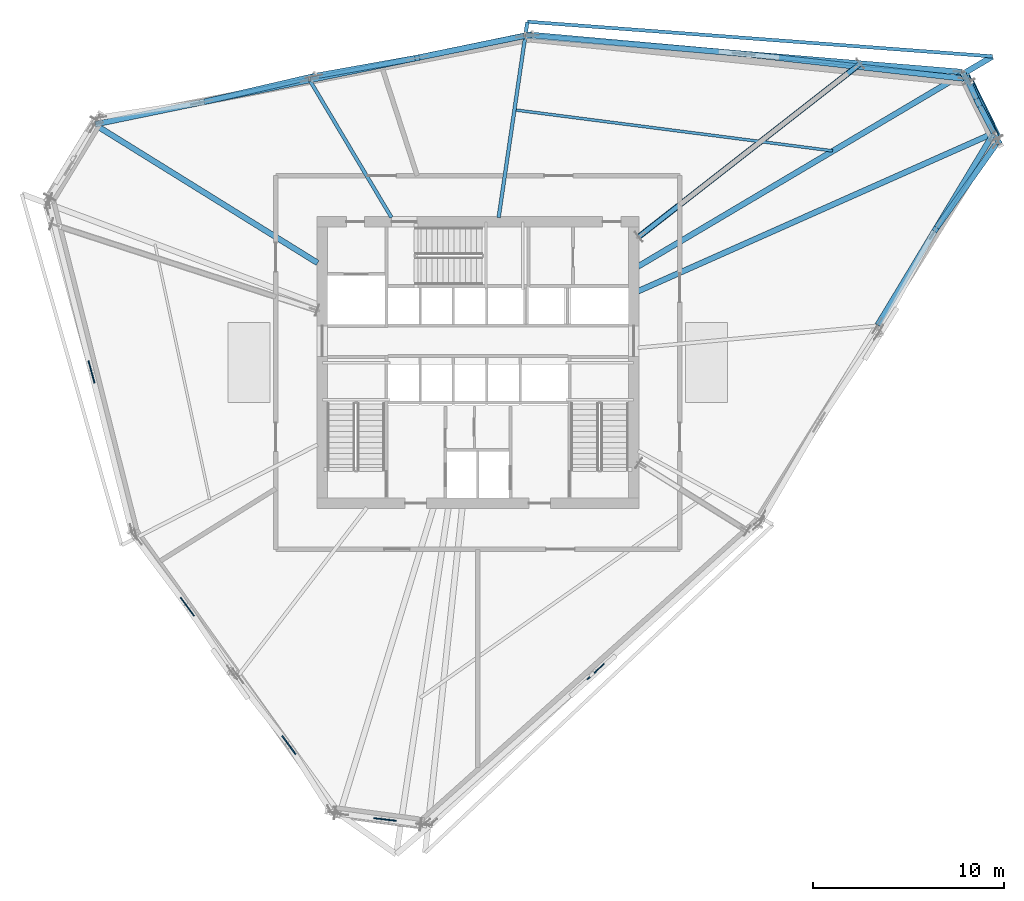
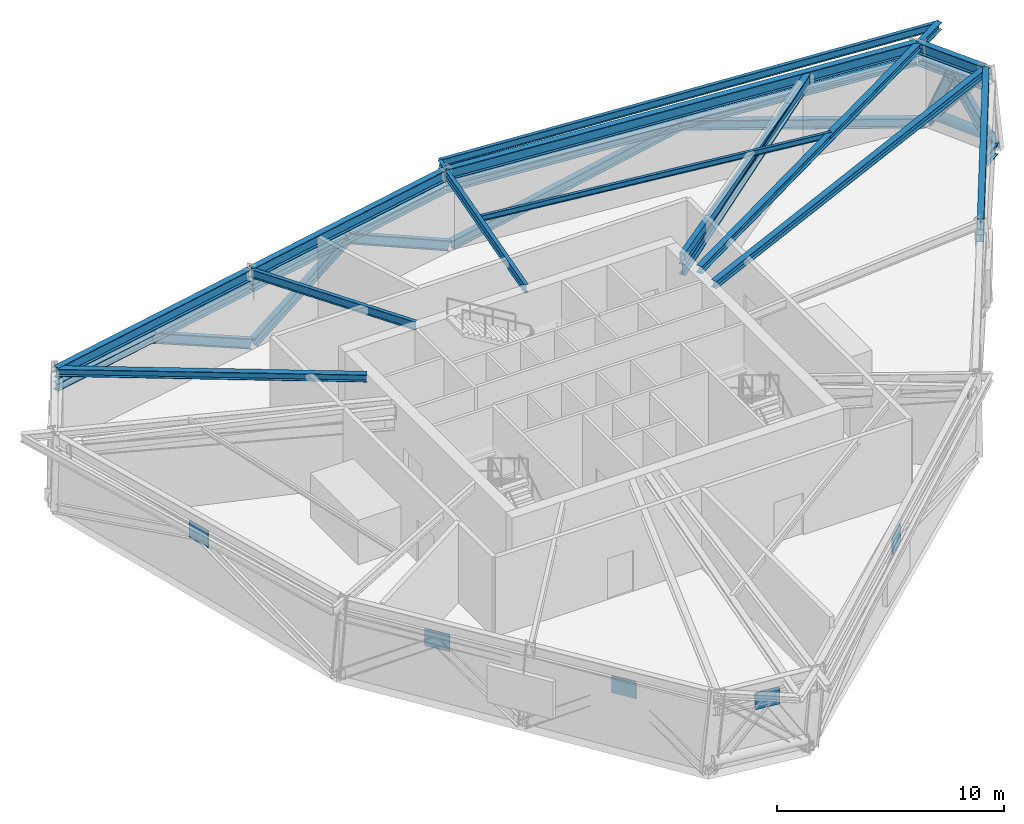
# One storey, part 3 of 14: 17 members, 12 beams, 5 plates.
"""IFC4 building model written with IfcOpenShell, lengths in metres."""

from ifc_helpers import new_model, si_unit, direction, frame, origin, origin_2d, place, context, subcontext, project, spatial, rectangle, hollow_rectangle, hollow_circle, i_section, extrude, source, transform, mapped, material, material_profile, profile_set, type_object, element, save


model = new_model("IFC4")

# Units and contexts
model_context = context("Model", 3, precision=1e-05, world=origin(), true_north=direction((0.0, 1.0)))
body_context = subcontext(model_context, "Body", "Model", "MODEL_VIEW")
ifc_project = project(units=[si_unit("LENGTHUNIT", "METRE"), si_unit("AREAUNIT", "SQUARE_METRE"), si_unit("VOLUMEUNIT", "CUBIC_METRE"), si_unit("PLANEANGLEUNIT", "RADIAN"), si_unit("MASSUNIT", "GRAM", prefix="KILO")], contexts=[model_context])

# Site, building, storey
site_placement = place(None, origin())
site = spatial("IfcSite", under=ifc_project, at=site_placement, CompositionType="ELEMENT")
building_placement = place(site_placement, origin())
building = spatial("IfcBuilding", under=site, at=building_placement, Name="Olszyna Solenne Hotel", CompositionType="ELEMENT")
storey_placement = place(building_placement, frame((0.0, 0.0, 142.10009765625)))
storey = spatial("IfcBuildingStorey", under=building, at=storey_placement, Name="L37", CompositionType="ELEMENT", Elevation=142.10009765625)

# Beams
ifc_material_1 = material(Name="Steel S355J2", Category="steel")
ifc_material_profile_1 = material_profile(ifc_material_1, i_section(OverallWidth=0.300048828125, OverallDepth=0.60009765625, WebThickness=0.015380859375, FlangeThickness=0.030029296875, at=origin_2d()), Name="HEB 600", Category="load-bearing")
ifc_profile_set_1 = profile_set([ifc_material_profile_1], Name="Steel S355J2")
beam_type_1 = type_object("IfcBeamType", Name="BM-S2", PredefinedType="BEAM", material=ifc_profile_set_1)
shared_shape_1 = source(origin(), body_context, "Body", "SweptSolid", [
    extrude(i_section(OverallWidth=0.300048828125, OverallDepth=0.60009765625, WebThickness=0.015380859375, FlangeThickness=0.030029296875, at=origin_2d()), origin(), (0.0, 0.0, 1.0), 3.4775390625),
])
beam_1_placement = place(storey_placement, frame((65.0361328125, 38.68994140625, 3.949951171875), z_axis=(-0.456345154087, 0.889802843523, 0.0), x_axis=(-0.889802843523, -0.456345154087, 0.0)))
element("IfcBeam", 1, at=beam_1_placement, inside=storey, type_object=beam_type_1, Name="Perimeter spandrel beam BM-S2 B-L37-1093", PredefinedType="BEAM", context=body_context, shape_type="MappedRepresentation", body=[
    mapped(shared_shape_1, transform((0.0, 0.0, 0.0), x_axis=(1.0, 0.0, 0.0), y_axis=(0.0, 1.0, 0.0), z_axis=(0.0, 0.0, 1.0), scale=1.0)),
])
shared_shape_2 = source(origin(), body_context, "Body", "SweptSolid", [
    extrude(i_section(OverallWidth=0.300048828125, OverallDepth=0.60009765625, WebThickness=0.015380859375, FlangeThickness=0.030029296875, at=origin_2d()), origin(), (0.0, 0.0, 1.0), 22.924072265625),
])
beam_2_placement = place(storey_placement, frame((63.362060546875, 41.842529296875, 3.949951171875), z_axis=(-0.996570319592, 0.082750215156, 0.0), x_axis=(-0.082750215156, -0.996570319592, 0.0)))
element("IfcBeam", 2, at=beam_2_placement, inside=storey, type_object=beam_type_1, Name="Perimeter spandrel beam BM-S2 B-L37-1094", PredefinedType="BEAM", context=body_context, shape_type="MappedRepresentation", body=[
    mapped(shared_shape_2, transform((0.0, 0.0, 0.0), x_axis=(1.0, 0.0, 0.0), y_axis=(0.0, 1.0, 0.0), z_axis=(0.0, 0.0, 1.0), scale=1.0)),
])
shared_shape_3 = source(origin(), body_context, "Body", "SweptSolid", [
    extrude(i_section(OverallWidth=0.300048828125, OverallDepth=0.60009765625, WebThickness=0.015380859375, FlangeThickness=0.030029296875, at=origin_2d()), origin(), (0.0, 0.0, 1.0), 11.402099609375),
])
beam_3_placement = place(storey_placement, frame((40.398193359375, 43.732421875, 3.949951171875), z_axis=(-0.979385335608, -0.20200090197, 0.0), x_axis=(0.20200090197, -0.979385335608, 0.0)))
element("IfcBeam", 3, at=beam_3_placement, inside=storey, type_object=beam_type_1, Name="Perimeter spandrel beam BM-S2 B-L37-1095", PredefinedType="BEAM", context=body_context, shape_type="MappedRepresentation", body=[
    mapped(shared_shape_3, transform((0.0, 0.0, 0.0), x_axis=(1.0, 0.0, 0.0), y_axis=(0.0, 1.0, 0.0), z_axis=(0.0, 0.0, 1.0), scale=1.0)),
])
shared_shape_4 = source(origin(), body_context, "Body", "SweptSolid", [
    extrude(i_section(OverallWidth=0.300048828125, OverallDepth=0.60009765625, WebThickness=0.015380859375, FlangeThickness=0.030029296875, at=origin_2d()), origin(), (0.0, 0.0, 1.0), 11.40185546875),
])
beam_4_placement = place(storey_placement, frame((29.113525390625, 41.40478515625, 3.949951171875), z_axis=(-0.979384461877, -0.202005138139, 0.0), x_axis=(0.202005138139, -0.979384461877, 0.0)))
element("IfcBeam", 4, at=beam_4_placement, inside=storey, type_object=beam_type_1, Name="Perimeter spandrel beam BM-S2 B-L37-1096", PredefinedType="BEAM", context=body_context, shape_type="MappedRepresentation", body=[
    mapped(shared_shape_4, transform((0.0, 0.0, 0.0), x_axis=(1.0, 0.0, 0.0), y_axis=(0.0, 1.0, 0.0), z_axis=(0.0, 0.0, 1.0), scale=1.0)),
])
shared_shape_5 = source(origin(), body_context, "Body", "SweptSolid", [
    extrude(i_section(OverallWidth=0.300048828125, OverallDepth=0.60009765625, WebThickness=0.015380859375, FlangeThickness=0.030029296875, at=origin_2d()), origin(), (0.0, 0.0, 1.0), 11.695068359375),
])
beam_5_placement = place(storey_placement, frame((58.982177734375, 28.576904296875, 3.949951171875), z_axis=(0.517341836232, 0.855778840872, 0.0), x_axis=(-0.855778840872, 0.517341836232, 0.0)))
element("IfcBeam", 5, at=beam_5_placement, inside=storey, type_object=beam_type_1, Name="Perimeter spandrel beam BM-S2 B-L37-1104", PredefinedType="BEAM", context=body_context, shape_type="MappedRepresentation", body=[
    mapped(shared_shape_5, transform((0.0, 0.0, 0.0), x_axis=(1.0, 0.0, 0.0), y_axis=(0.0, 1.0, 0.0), z_axis=(0.0, 0.0, 1.0), scale=1.0)),
])
ifc_material_profile_2 = material_profile(ifc_material_1, i_section(OverallWidth=0.300048828125, OverallDepth=0.389892578125, WebThickness=0.010986328125, FlangeThickness=0.01904296875, at=origin_2d()), Name="HEA 400", Category="load-bearing")
ifc_profile_set_2 = profile_set([ifc_material_profile_2], Name="Steel S355J2")
beam_type_2 = type_object("IfcBeamType", Name="BM-G2", PredefinedType="BEAM", material=ifc_profile_set_2)
shared_shape_6 = source(origin(), body_context, "Body", "SweptSolid", [
    extrude(i_section(OverallWidth=0.300048828125, OverallDepth=0.389892578125, WebThickness=0.010986328125, FlangeThickness=0.01904296875, at=origin_2d()), origin(), (0.0, 0.0, 1.0), 20.361572265625),
])
beam_6_placement = place(storey_placement, frame((65.0087890625, 38.6123046875, 4.054931640625), z_axis=(-0.913706696012, -0.406374302415, 0.0), x_axis=(0.406374302415, -0.913706696012, 0.0)))
element("IfcBeam", 6, at=beam_6_placement, inside=storey, type_object=beam_type_2, Name="Radial floor girder BM-G2 B-L37-1105", PredefinedType="BEAM", context=body_context, shape_type="MappedRepresentation", body=[
    mapped(shared_shape_6, transform((0.0, 0.0, 0.0), x_axis=(1.0, 0.0, 0.0), y_axis=(0.0, 1.0, 0.0), z_axis=(0.0, 0.0, 1.0), scale=1.0)),
])
shared_shape_7 = source(origin(), body_context, "Body", "SweptSolid", [
    extrude(i_section(OverallWidth=0.300048828125, OverallDepth=0.389892578125, WebThickness=0.010986328125, FlangeThickness=0.01904296875, at=origin_2d()), origin(), (0.0, 0.0, 1.0), 21.594970703125),
])
beam_7_placement = place(storey_placement, frame((64.985595703125, 42.6474609375, 4.054931640625), z_axis=(-0.860316874989, -0.509759624343, 0.0), x_axis=(0.509759624343, -0.860316874989, 0.0)))
element("IfcBeam", 7, at=beam_7_placement, inside=storey, type_object=beam_type_2, Name="Radial floor girder BM-G2 B-L37-1106", PredefinedType="BEAM", context=body_context, shape_type="MappedRepresentation", body=[
    mapped(shared_shape_7, transform((0.0, 0.0, 0.0), x_axis=(1.0, 0.0, 0.0), y_axis=(0.0, 1.0, 0.0), z_axis=(0.0, 0.0, 1.0), scale=1.0)),
])
ifc_material_profile_3 = material_profile(ifc_material_1, i_section(OverallWidth=0.18994140625, OverallDepth=0.449951171875, WebThickness=0.009521484375, FlangeThickness=0.0146484375, at=origin_2d()), Name="IPE 450", Category="load-bearing")
ifc_profile_set_3 = profile_set([ifc_material_profile_3], Name="Steel S355J2")
beam_type_3 = type_object("IfcBeamType", Name="BM-F4", PredefinedType="BEAM", material=ifc_profile_set_3)
shared_shape_8 = source(origin(), body_context, "Body", "SweptSolid", [
    extrude(i_section(OverallWidth=0.18994140625, OverallDepth=0.449951171875, WebThickness=0.009521484375, FlangeThickness=0.0146484375, at=origin_2d()), origin(), (0.0, 0.0, 1.0), 10.367431640625),
])
beam_8_placement = place(storey_placement, frame((40.594482421875, 44.4580078125, 4.02490234375), z_axis=(-0.145201787836, -0.989402062263, 0.0), x_axis=(0.989402062263, -0.145201787836, 0.0)))
element("IfcBeam", 8, at=beam_8_placement, inside=storey, type_object=beam_type_3, Name="Radial floor girder BM-F4 B-L37-1107", PredefinedType="BEAM", context=body_context, shape_type="MappedRepresentation", body=[
    mapped(shared_shape_8, transform((0.0, 0.0, 0.0), x_axis=(1.0, 0.0, 0.0), y_axis=(0.0, 1.0, 0.0), z_axis=(0.0, 0.0, 1.0), scale=1.0)),
])
shared_shape_9 = source(origin(), body_context, "Body", "SweptSolid", [
    extrude(i_section(OverallWidth=0.18994140625, OverallDepth=0.449951171875, WebThickness=0.009521484375, FlangeThickness=0.0146484375, at=origin_2d()), origin(), (0.0, 0.0, 1.0), 8.33251953125),
])
beam_9_placement = place(storey_placement, frame((29.203125, 41.365478515625, 4.02490234375), z_axis=(0.511830480198, -0.859086468023, 0.0), x_axis=(0.859086468023, 0.511830480198, 0.0)))
element("IfcBeam", 9, at=beam_9_placement, inside=storey, type_object=beam_type_3, Name="Radial floor girder BM-F4 B-L37-1108", PredefinedType="BEAM", context=body_context, shape_type="MappedRepresentation", body=[
    mapped(shared_shape_9, transform((0.0, 0.0, 0.0), x_axis=(1.0, 0.0, 0.0), y_axis=(0.0, 1.0, 0.0), z_axis=(0.0, 0.0, 1.0), scale=1.0)),
])
shared_shape_10 = source(origin(), body_context, "Body", "SweptSolid", [
    extrude(i_section(OverallWidth=0.300048828125, OverallDepth=0.389892578125, WebThickness=0.010986328125, FlangeThickness=0.01904296875, at=origin_2d()), origin(), (0.0, 0.0, 1.0), 13.7177734375),
])
beam_10_placement = place(storey_placement, frame((17.93896484375, 39.057861328125, 4.054931640625), z_axis=(0.849523553332, -0.52755069172, 0.0), x_axis=(0.52755069172, 0.849523553332, 0.0)))
element("IfcBeam", 10, at=beam_10_placement, inside=storey, type_object=beam_type_2, Name="Radial floor girder BM-G2 B-L37-1109", PredefinedType="BEAM", context=body_context, shape_type="MappedRepresentation", body=[
    mapped(shared_shape_10, transform((0.0, 0.0, 0.0), x_axis=(1.0, 0.0, 0.0), y_axis=(0.0, 1.0, 0.0), z_axis=(0.0, 0.0, 1.0), scale=1.0)),
])
ifc_material_profile_4 = material_profile(ifc_material_1, i_section(OverallWidth=0.14990234375, OverallDepth=0.300048828125, WebThickness=0.007080078125, FlangeThickness=0.0107421875, at=origin_2d()), Name="IPE 300", Category="load-bearing")
ifc_profile_set_4 = profile_set([ifc_material_profile_4], Name="Steel S355J2")
beam_type_4 = type_object("IfcBeamType", Name="JS-02", PredefinedType="JOIST", material=ifc_profile_set_4)
shared_shape_11 = source(origin(), body_context, "Body", "SweptSolid", [
    extrude(i_section(OverallWidth=0.14990234375, OverallDepth=0.300048828125, WebThickness=0.007080078125, FlangeThickness=0.0107421875, at=origin_2d()), origin(), (0.0, 0.0, 1.0), 16.814453125),
])
beam_11_placement = place(storey_placement, frame((56.614990234375, 37.701904296875, 4.099853515625), z_axis=(-0.991803290103, 0.127774151301, 0.0), x_axis=(-0.127774151301, -0.991803290103, 0.0)))
element("IfcBeam", 11, at=beam_11_placement, inside=storey, type_object=beam_type_4, Name="Secondary composite floor joist JS-02 B-L37-1120", PredefinedType="JOIST", context=body_context, shape_type="MappedRepresentation", body=[
    mapped(shared_shape_11, transform((0.0, 0.0, 0.0), x_axis=(1.0, 0.0, 0.0), y_axis=(0.0, 1.0, 0.0), z_axis=(0.0, 0.0, 1.0), scale=1.0)),
])
ifc_material_profile_5 = material_profile(ifc_material_1, i_section(OverallWidth=0.179931640625, OverallDepth=0.39990234375, WebThickness=0.008544921875, FlangeThickness=0.013427734375, at=origin_2d()), Name="IPE 400", Category="load-bearing")
ifc_profile_set_5 = profile_set([ifc_material_profile_5], Name="Steel S355J2")
beam_type_5 = type_object("IfcBeamType", Name="BM-F5", PredefinedType="BEAM", material=ifc_profile_set_5)
shared_shape_12 = source(origin(), body_context, "Body", "SweptSolid", [
    extrude(i_section(OverallWidth=0.179931640625, OverallDepth=0.39990234375, WebThickness=0.008544921875, FlangeThickness=0.013427734375, at=origin_2d()), origin(), (0.0, 0.0, 1.0), 24.47314453125),
])
beam_12_placement = place(storey_placement, frame((65.002685546875, 42.65771484375, 4.0498046875), z_axis=(-0.997230693111, 0.074370321487, 0.0), x_axis=(-0.074370321487, -0.997230693111, 0.0)))
element("IfcBeam", 12, at=beam_12_placement, inside=storey, type_object=beam_type_5, Name="Loggia outer edge beam BM-F5 B-L37-1123", PredefinedType="BEAM", context=body_context, shape_type="MappedRepresentation", body=[
    mapped(shared_shape_12, transform((0.0, 0.0, 0.0), x_axis=(1.0, 0.0, 0.0), y_axis=(0.0, 1.0, 0.0), z_axis=(0.0, 0.0, 1.0), scale=1.0)),
])

# Members
ifc_material_2 = material(Name="Steel S460M", Category="steel")
ifc_material_profile_6 = material_profile(ifc_material_2, i_section(OverallWidth=0.406005859375, OverallDepth=0.416015625, WebThickness=0.026611328125, FlangeThickness=0.04150390625, at=origin_2d()), Name="HD 400x382", Category="load-bearing")
ifc_profile_set_6 = profile_set([ifc_material_profile_6], Name="Steel S460M")
member_type_1 = type_object("IfcMemberType", Name="BR-T2", PredefinedType="BRACE", material=ifc_profile_set_6)
shared_shape_13 = source(origin(), body_context, "Body", "SweptSolid", [
    extrude(i_section(OverallWidth=0.406005859375, OverallDepth=0.416015625, WebThickness=0.026611328125, FlangeThickness=0.04150390625, at=origin_2d()), origin(), (0.0, 0.0, 1.0), 5.022216796875),
])
member_1_placement = place(storey_placement, frame((63.68896484375, 41.473388671875, 0.010009765625), z_axis=(0.273682297659, -0.564816095294, 0.778511900002), x_axis=(0.8999191169, 0.436056857574, 0.0)))
element("IfcMember", 13, at=member_1_placement, inside=storey, type_object=member_type_1, Name="Perimeter braced-tube diagonal BR-T2 BR-L37-1", PredefinedType="BRACE", context=body_context, shape_type="MappedRepresentation", body=[
    mapped(shared_shape_13, transform((0.0, 0.0, 0.0), x_axis=(1.0, 0.0, 0.0), y_axis=(0.0, 1.0, 0.0), z_axis=(0.0, 0.0, 1.0), scale=1.0)),
])
ifc_material_profile_7 = material_profile(ifc_material_1, i_section(OverallWidth=0.300048828125, OverallDepth=0.39990234375, WebThickness=0.013427734375, FlangeThickness=0.02392578125, at=origin_2d()), Name="HEB 400", Category="load-bearing")
ifc_profile_set_7 = profile_set([ifc_material_profile_7], Name="Steel S355J2")
member_type_2 = type_object("IfcMemberType", Name="CH-TR2", PredefinedType="CHORD", material=ifc_profile_set_7)
shared_shape_14 = source(origin(), body_context, "Body", "SweptSolid", [
    extrude(i_section(OverallWidth=0.300048828125, OverallDepth=0.39990234375, WebThickness=0.013427734375, FlangeThickness=0.02392578125, at=origin_2d()), origin(), (0.0, 0.0, 1.0), 3.517333984375),
])
member_2_placement = place(storey_placement, frame((65.045166015625, 38.672119140625, 3.199951171875), z_axis=(-0.456296919482, 0.889827579518, 0.0), x_axis=(-0.889827579518, -0.456296919482, 0.0)))
element("IfcMember", 14, at=member_2_placement, inside=storey, type_object=member_type_2, Name="Belt truss upper chord CH-TR2 CH-L37-01", PredefinedType="CHORD", context=body_context, shape_type="MappedRepresentation", body=[
    mapped(shared_shape_14, transform((0.0, 0.0, 0.0), x_axis=(1.0, 0.0, 0.0), y_axis=(0.0, 1.0, 0.0), z_axis=(0.0, 0.0, 1.0), scale=1.0)),
])
ifc_material_profile_8 = material_profile(ifc_material_1, i_section(OverallWidth=0.300048828125, OverallDepth=0.5, WebThickness=0.014404296875, FlangeThickness=0.028076171875, at=origin_2d()), Name="HEB 500", Category="load-bearing")
ifc_profile_set_8 = profile_set([ifc_material_profile_8], Name="Steel S355J2")
member_type_3 = type_object("IfcMemberType", Name="BR-BL1", PredefinedType="BRACE", material=ifc_profile_set_8)
shared_shape_15 = source(origin(), body_context, "Body", "SweptSolid", [
    extrude(i_section(OverallWidth=0.300048828125, OverallDepth=0.5, WebThickness=0.014404296875, FlangeThickness=0.028076171875, at=origin_2d()), origin(), (0.0, 0.0, 1.0), 3.89111328125),
])
member_3_placement = place(storey_placement, frame((65.279296875, 38.24853515625, 0.02001953125), z_axis=(-0.266407159546, 0.511042466911, 0.817228745429), x_axis=(-0.886743973191, -0.462260885226, 0.0)))
element("IfcMember", 15, at=member_3_placement, inside=storey, type_object=member_type_3, Name="Belt truss diagonal BR-BL1 BT-L37-01-1", PredefinedType="BRACE", context=body_context, shape_type="MappedRepresentation", body=[
    mapped(shared_shape_15, transform((0.0, 0.0, 0.0), x_axis=(1.0, 0.0, 0.0), y_axis=(0.0, 1.0, 0.0), z_axis=(0.0, 0.0, 1.0), scale=1.0)),
])
shared_shape_16 = source(origin(), body_context, "Body", "SweptSolid", [
    extrude(i_section(OverallWidth=0.300048828125, OverallDepth=0.5, WebThickness=0.014404296875, FlangeThickness=0.028076171875, at=origin_2d()), origin(), (0.0, 0.0, 1.0), 3.44091796875),
])
member_4_placement = place(storey_placement, frame((63.706787109375, 41.4375, 0.02001953125), z_axis=(0.155738187609, -0.348867730512, 0.924141181599), x_axis=(0.913144054615, 0.407637014415, 0.0)))
element("IfcMember", 16, at=member_4_placement, inside=storey, type_object=member_type_3, Name="Belt truss diagonal BR-BL1 BT-L37-01-2", PredefinedType="BRACE", context=body_context, shape_type="MappedRepresentation", body=[
    mapped(shared_shape_16, transform((0.0, 0.0, 0.0), x_axis=(1.0, 0.0, 0.0), y_axis=(0.0, 1.0, 0.0), z_axis=(0.0, 0.0, 1.0), scale=1.0)),
])
shared_shape_17 = source(origin(), body_context, "Body", "SweptSolid", [
    extrude(i_section(OverallWidth=0.300048828125, OverallDepth=0.39990234375, WebThickness=0.013427734375, FlangeThickness=0.02392578125, at=origin_2d()), origin(), (0.0, 0.0, 1.0), 22.964111328125),
])
member_5_placement = place(storey_placement, frame((63.382080078125, 41.8408203125, 3.199951171875), z_axis=(-0.996569911638, 0.08275512804, 0.0), x_axis=(-0.08275512804, -0.996569911638, 0.0)))
element("IfcMember", 17, at=member_5_placement, inside=storey, type_object=member_type_2, Name="Belt truss upper chord CH-TR2 CH-L37-02", PredefinedType="CHORD", context=body_context, shape_type="MappedRepresentation", body=[
    mapped(shared_shape_17, transform((0.0, 0.0, 0.0), x_axis=(1.0, 0.0, 0.0), y_axis=(0.0, 1.0, 0.0), z_axis=(0.0, 0.0, 1.0), scale=1.0)),
])
shared_shape_18 = source(origin(), body_context, "Body", "SweptSolid", [
    extrude(i_section(OverallWidth=0.300048828125, OverallDepth=0.5, WebThickness=0.014404296875, FlangeThickness=0.028076171875, at=origin_2d()), origin(), (0.0, 0.0, 1.0), 12.204833984375),
])
member_6_placement = place(storey_placement, frame((63.649169921875, 41.477294921875, 0.02001953125), z_axis=(-0.959441321801, 0.10764034261, 0.260549240382), x_axis=(-0.111491185705, -0.993765422778, 0.0)))
element("IfcMember", 18, at=member_6_placement, inside=storey, type_object=member_type_3, Name="Belt truss diagonal BR-BL1 BT-L37-02-1", PredefinedType="BRACE", context=body_context, shape_type="MappedRepresentation", body=[
    mapped(shared_shape_18, transform((0.0, 0.0, 0.0), x_axis=(1.0, 0.0, 0.0), y_axis=(0.0, 1.0, 0.0), z_axis=(0.0, 0.0, 1.0), scale=1.0)),
])
shared_shape_19 = source(origin(), body_context, "Body", "SweptSolid", [
    extrude(i_section(OverallWidth=0.300048828125, OverallDepth=0.5, WebThickness=0.014404296875, FlangeThickness=0.028076171875, at=origin_2d()), origin(), (0.0, 0.0, 1.0), 11.65478515625),
])
member_7_placement = place(storey_placement, frame((40.77099609375, 43.7861328125, 0.02001953125), z_axis=(0.958262927811, -0.085381884618, 0.272840786839), x_axis=(0.088749096297, 0.996054013549, 0.0)))
element("IfcMember", 19, at=member_7_placement, inside=storey, type_object=member_type_3, Name="Belt truss diagonal BR-BL1 BT-L37-02-2", PredefinedType="BRACE", context=body_context, shape_type="MappedRepresentation", body=[
    mapped(shared_shape_19, transform((0.0, 0.0, 0.0), x_axis=(1.0, 0.0, 0.0), y_axis=(0.0, 1.0, 0.0), z_axis=(0.0, 0.0, 1.0), scale=1.0)),
])
shared_shape_20 = source(origin(), body_context, "Body", "SweptSolid", [
    extrude(i_section(OverallWidth=0.300048828125, OverallDepth=0.39990234375, WebThickness=0.013427734375, FlangeThickness=0.02392578125, at=origin_2d()), origin(), (0.0, 0.0, 1.0), 11.44189453125),
])
member_8_placement = place(storey_placement, frame((40.417724609375, 43.736328125, 3.199951171875), z_axis=(-0.979385337453, -0.202000893021, 0.0), x_axis=(0.202000893021, -0.979385337453, 0.0)))
element("IfcMember", 20, at=member_8_placement, inside=storey, type_object=member_type_2, Name="Belt truss upper chord CH-TR2 CH-L37-03", PredefinedType="CHORD", context=body_context, shape_type="MappedRepresentation", body=[
    mapped(shared_shape_20, transform((0.0, 0.0, 0.0), x_axis=(1.0, 0.0, 0.0), y_axis=(0.0, 1.0, 0.0), z_axis=(0.0, 0.0, 1.0), scale=1.0)),
])
shared_shape_21 = source(origin(), body_context, "Body", "SweptSolid", [
    extrude(i_section(OverallWidth=0.300048828125, OverallDepth=0.5, WebThickness=0.014404296875, FlangeThickness=0.028076171875, at=origin_2d()), origin(), (0.0, 0.0, 1.0), 6.78955078125),
])
member_9_placement = place(storey_placement, frame((40.69189453125, 43.78271484375, 0.02001953125), z_axis=(-0.865623997742, -0.177022678556, 0.468356771927), x_axis=(0.200356284543, -0.979723103353, 0.0)))
element("IfcMember", 21, at=member_9_placement, inside=storey, type_object=member_type_3, Name="Belt truss diagonal BR-BL1 BT-L37-03-1", PredefinedType="BRACE", context=body_context, shape_type="MappedRepresentation", body=[
    mapped(shared_shape_21, transform((0.0, 0.0, 0.0), x_axis=(1.0, 0.0, 0.0), y_axis=(0.0, 1.0, 0.0), z_axis=(0.0, 0.0, 1.0), scale=1.0)),
])
shared_shape_22 = source(origin(), body_context, "Body", "SweptSolid", [
    extrude(i_section(OverallWidth=0.300048828125, OverallDepth=0.5, WebThickness=0.014404296875, FlangeThickness=0.028076171875, at=origin_2d()), origin(), (0.0, 0.0, 1.0), 6.31787109375),
])
member_10_placement = place(storey_placement, frame((29.440185546875, 41.6220703125, 0.02001953125), z_axis=(0.850673012368, 0.151748565439, 0.503316797769), x_axis=(-0.175614189154, 0.984459068, 0.0)))
element("IfcMember", 22, at=member_10_placement, inside=storey, type_object=member_type_3, Name="Belt truss diagonal BR-BL1 BT-L37-03-2", PredefinedType="BRACE", context=body_context, shape_type="MappedRepresentation", body=[
    mapped(shared_shape_22, transform((0.0, 0.0, 0.0), x_axis=(1.0, 0.0, 0.0), y_axis=(0.0, 1.0, 0.0), z_axis=(0.0, 0.0, 1.0), scale=1.0)),
])
shared_shape_23 = source(origin(), body_context, "Body", "SweptSolid", [
    extrude(i_section(OverallWidth=0.300048828125, OverallDepth=0.39990234375, WebThickness=0.013427734375, FlangeThickness=0.02392578125, at=origin_2d()), origin(), (0.0, 0.0, 1.0), 11.442138671875),
])
member_11_placement = place(storey_placement, frame((29.13330078125, 41.408935546875, 3.199951171875), z_axis=(-0.979386208084, -0.201996671792, 0.0), x_axis=(0.201996671792, -0.979386208084, 0.0)))
element("IfcMember", 23, at=member_11_placement, inside=storey, type_object=member_type_2, Name="Belt truss upper chord CH-TR2 CH-L37-04", PredefinedType="CHORD", context=body_context, shape_type="MappedRepresentation", body=[
    mapped(shared_shape_23, transform((0.0, 0.0, 0.0), x_axis=(1.0, 0.0, 0.0), y_axis=(0.0, 1.0, 0.0), z_axis=(0.0, 0.0, 1.0), scale=1.0)),
])
shared_shape_24 = source(origin(), body_context, "Body", "SweptSolid", [
    extrude(i_section(OverallWidth=0.300048828125, OverallDepth=0.5, WebThickness=0.014404296875, FlangeThickness=0.028076171875, at=origin_2d()), origin(), (0.0, 0.0, 1.0), 6.77880859375),
])
member_12_placement = place(storey_placement, frame((29.361572265625, 41.60693359375, 0.02001953125), z_axis=(-0.860273694082, -0.199671663736, 0.469105956017), x_axis=(0.226092392927, -0.974105861732, 0.0)))
element("IfcMember", 24, at=member_12_placement, inside=storey, type_object=member_type_3, Name="Belt truss diagonal BR-BL1 BT-L37-04-1", PredefinedType="BRACE", context=body_context, shape_type="MappedRepresentation", body=[
    mapped(shared_shape_24, transform((0.0, 0.0, 0.0), x_axis=(1.0, 0.0, 0.0), y_axis=(0.0, 1.0, 0.0), z_axis=(0.0, 0.0, 1.0), scale=1.0)),
])
shared_shape_25 = source(origin(), body_context, "Body", "SweptSolid", [
    extrude(i_section(OverallWidth=0.300048828125, OverallDepth=0.39990234375, WebThickness=0.013427734375, FlangeThickness=0.02392578125, at=origin_2d()), origin(), (0.0, 0.0, 1.0), 11.73486328125),
])
member_13_placement = place(storey_placement, frame((58.9716796875, 28.559814453125, 3.199951171875), z_axis=(0.517347415041, 0.855775468304, 0.0), x_axis=(-0.855775468304, 0.517347415041, 0.0)))
element("IfcMember", 25, at=member_13_placement, inside=storey, type_object=member_type_2, Name="Belt truss upper chord CH-TR2 CH-L37-12", PredefinedType="CHORD", context=body_context, shape_type="MappedRepresentation", body=[
    mapped(shared_shape_25, transform((0.0, 0.0, 0.0), x_axis=(1.0, 0.0, 0.0), y_axis=(0.0, 1.0, 0.0), z_axis=(0.0, 0.0, 1.0), scale=1.0)),
])
shared_shape_26 = source(origin(), body_context, "Body", "SweptSolid", [
    extrude(i_section(OverallWidth=0.300048828125, OverallDepth=0.5, WebThickness=0.014404296875, FlangeThickness=0.028076171875, at=origin_2d()), origin(), (0.0, 0.0, 1.0), 6.4755859375),
])
member_14_placement = place(storey_placement, frame((65.27587890625, 38.1787109375, 0.02001953125), z_axis=(-0.504746534373, -0.70999303371, 0.491060920989), x_axis=(0.815029810491, -0.579419026277, 0.0)))
element("IfcMember", 26, at=member_14_placement, inside=storey, type_object=member_type_3, Name="Belt truss diagonal BR-BL1 BT-L37-12-2", PredefinedType="BRACE", context=body_context, shape_type="MappedRepresentation", body=[
    mapped(shared_shape_26, transform((0.0, 0.0, 0.0), x_axis=(1.0, 0.0, 0.0), y_axis=(0.0, 1.0, 0.0), z_axis=(0.0, 0.0, 1.0), scale=1.0)),
])
ifc_material_profile_9 = material_profile(ifc_material_2, i_section(OverallWidth=0.304931640625, OverallDepth=0.6201171875, WebThickness=0.02099609375, FlangeThickness=0.0400390625, at=origin_2d()), Name="HEM 600", Category="load-bearing")
ifc_profile_set_9 = profile_set([ifc_material_profile_9], Name="Steel S460M")
member_type_4 = type_object("IfcMemberType", Name="BR-OU1", PredefinedType="BRACE", material=ifc_profile_set_9)
shared_shape_27 = source(origin(), body_context, "Body", "SweptSolid", [
    extrude(i_section(OverallWidth=0.304931640625, OverallDepth=0.6201171875, WebThickness=0.02099609375, FlangeThickness=0.0400390625, at=origin_2d()), origin(), (0.0, 0.0, 1.0), 14.744873046875),
])
member_15_placement = place(storey_placement, frame((46.449951171875, 33.201904296875, 3.099853515625), z_axis=(0.787120405945, 0.614969897707, 0.047470953844), x_axis=(-0.615663985725, 0.788008792262, 0.0)))
element("IfcMember", 27, at=member_15_placement, inside=storey, type_object=member_type_4, Name="Outrigger truss brace BR-OU1 OU-L37-02", PredefinedType="BRACE", context=body_context, shape_type="MappedRepresentation", body=[
    mapped(shared_shape_27, transform((0.0, 0.0, 0.0), x_axis=(1.0, 0.0, 0.0), y_axis=(0.0, 1.0, 0.0), z_axis=(0.0, 0.0, 1.0), scale=1.0)),
])
ifc_material_profile_10 = material_profile(ifc_material_1, hollow_rectangle(XDim=0.25, YDim=0.39990234375, WallThickness=0.02001953125, at=origin_2d()), Name="RHS 400x250x20", Category="load-bearing")
ifc_profile_set_10 = profile_set([ifc_material_profile_10], Name="Steel S355J2")
member_type_5 = type_object("IfcMemberType", Name="CH-BL1", PredefinedType="CHORD", material=ifc_profile_set_10)
shared_shape_28 = source(origin(), body_context, "Body", "SweptSolid", [
    extrude(hollow_rectangle(XDim=0.25, YDim=0.39990234375, WallThickness=0.02001953125, at=origin_2d()), origin(), (0.0, 0.0, 1.0), 14.728271484375),
])
member_16_placement = place(storey_placement, frame((46.449951171875, 33.201904296875, 3.7998046875), z_axis=(0.788008792262, 0.615663985725, 0.0), x_axis=(-0.615663985725, 0.788008792262, 0.0)))
element("IfcMember", 28, at=member_16_placement, inside=storey, type_object=member_type_5, Name="Outrigger collector chord CH-BL1 OC-L37-02", PredefinedType="CHORD", context=body_context, shape_type="MappedRepresentation", body=[
    mapped(shared_shape_28, transform((0.0, 0.0, 0.0), x_axis=(1.0, 0.0, 0.0), y_axis=(0.0, 1.0, 0.0), z_axis=(0.0, 0.0, 1.0), scale=1.0)),
])
ifc_material_profile_11 = material_profile(ifc_material_1, hollow_circle(Radius=0.25390625, WallThickness=0.02001953125, at=origin_2d()), Name="CHS 508x20", Category="load-bearing")
ifc_profile_set_11 = profile_set([ifc_material_profile_11], Name="Steel S355J2")
member_type_6 = type_object("IfcMemberType", Name="BR-TB2", PredefinedType="BRACE", material=ifc_profile_set_11)
shared_shape_29 = source(origin(), body_context, "Body", "SweptSolid", [
    extrude(hollow_circle(Radius=0.25390625, WallThickness=0.02001953125, at=origin_2d()), origin(), (0.0, 0.0, 1.0), 3.27587890625),
])
member_17_placement = place(storey_placement, frame((65.21728515625, 38.3740234375, 0.5498046875), z_axis=(-0.442257992108, 0.896887879513, 0.0), x_axis=(-0.896887879513, -0.442257992108, 0.0)))
element("IfcMember", 29, at=member_17_placement, inside=storey, type_object=member_type_6, Name="Belt collar tie BR-TB2 CTB-L37-1", PredefinedType="BRACE", context=body_context, shape_type="MappedRepresentation", body=[
    mapped(shared_shape_29, transform((0.0, 0.0, 0.0), x_axis=(1.0, 0.0, 0.0), y_axis=(0.0, 1.0, 0.0), z_axis=(0.0, 0.0, 1.0), scale=1.0)),
])

# Plates
plate_type = type_object("IfcPlateType", Name="GP-ND1", PredefinedType="USERDEFINED", material=ifc_material_2)
shared_shape_30 = source(origin(), body_context, "Body", "SweptSolid", [
    extrude(rectangle(XDim=1.199951171875, YDim=0.06005859375, at=origin_2d()), origin(), (0.0, 0.0, 1.0), 0.89990234375),
])
for number, where, z_axis, x_axis, name in (
    (30, (17.72998046875, 26.10400390625, 2.75), (0.0, 0.0, 1.0), (0.262694424132, -0.964879080263, 0.0), "Belt truss node gusset plate TN-L37-06"),
    (31, (22.7578125, 13.789794921875, 2.75), (0.0, 0.0, 1.0), (0.591591114605, -0.806238149135, 0.0), "Belt truss node gusset plate TN-L37-07"),
    (32, (28.083251953125, 6.532470703125, 2.75), (0.0, 0.0, 1.0), (0.591591114605, -0.806238149135, 0.0), "Belt truss node gusset plate TN-L37-08"),
    (33, (33.130859375, 2.62353515625, 2.75), (0.0, 0.0, 1.0), (0.993170649538, -0.116670737099, 0.0), "Belt truss node gusset plate TN-L37-09"),
    (34, (44.177001953125, 10.37890625, 2.75), (0.0, 0.0, 1.0), (0.733136660803, 0.680081345566, 0.0), "Belt truss node gusset plate TN-L37-10"),
):
    element("IfcPlate", number, at=place(storey_placement, frame(where, z_axis=z_axis, x_axis=x_axis)), inside=storey, type_object=plate_type, Name=name, ObjectType="GUSSET_PLATE", PredefinedType="USERDEFINED", context=body_context, shape_type="MappedRepresentation", body=[
        mapped(shared_shape_30, transform((0.0, 0.0, 0.0), x_axis=(1.0, 0.0, 0.0), y_axis=(0.0, 1.0, 0.0), z_axis=(0.0, 0.0, 1.0), scale=1.0)),
    ])

save(model, "model.ifc")
